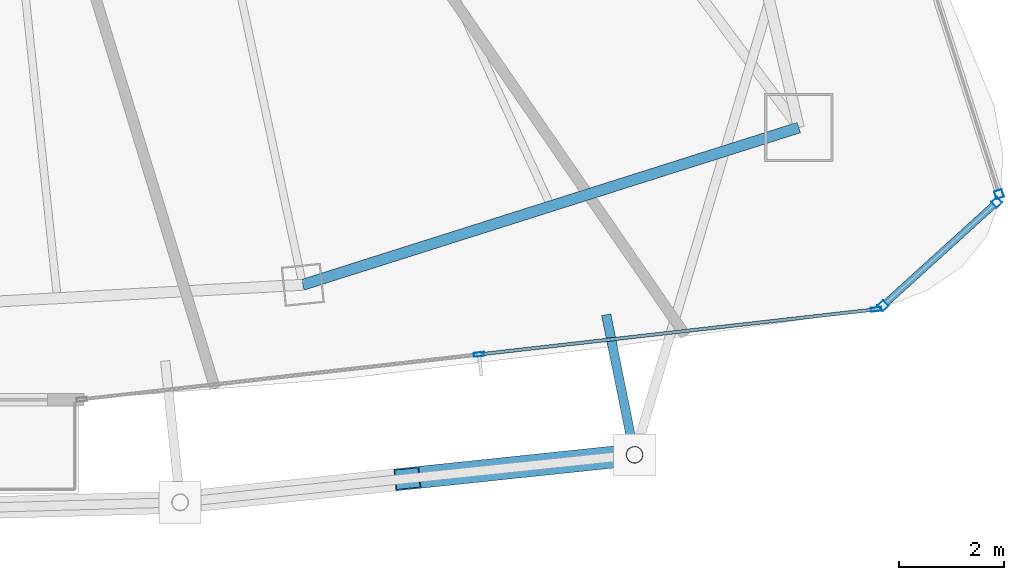
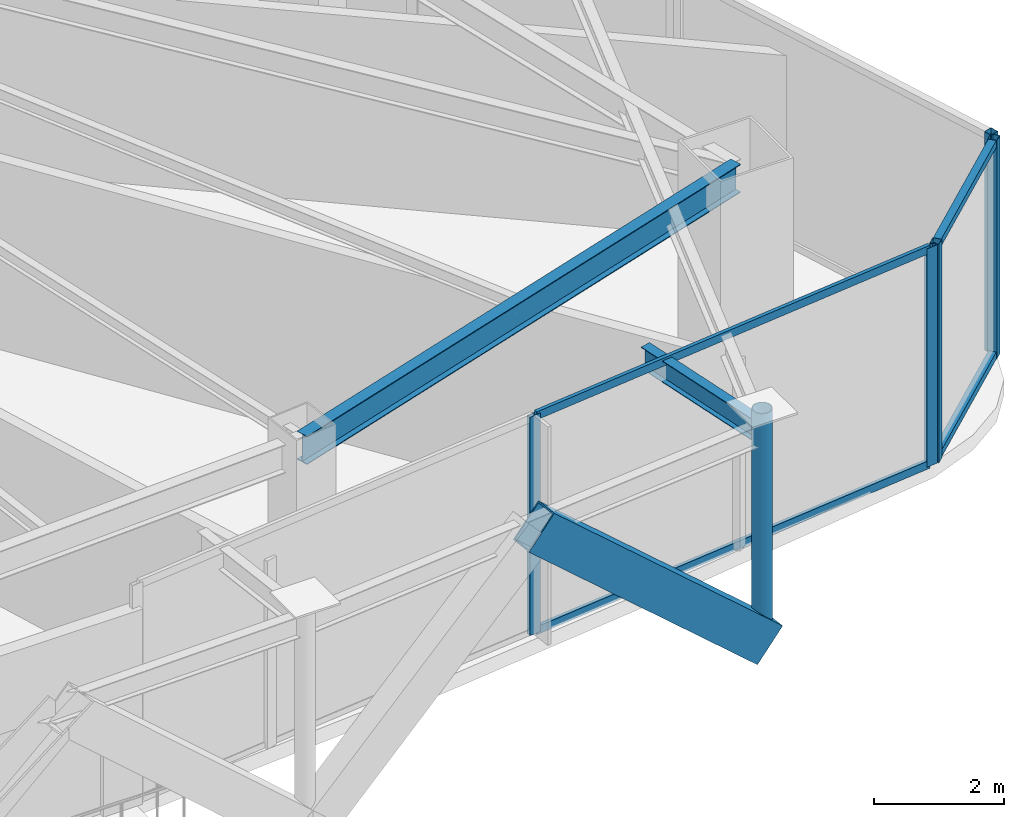
# One storey, part 11 of 25: 11 members, 2 beams, 3 elements without a shape of their own.
"""IFC4 building model written with IfcOpenShell, lengths in metres."""

from ifc_helpers import new_model, si_unit, direction, frame, origin, origin_2d, place, context, subcontext, project, spatial, hollow_rectangle, hollow_circle, i_section, extrude, material, layer, layer_set, material_profile, profile_set, type_object, element, aggregate, save


model = new_model("IFC4")

# Units and contexts
model_context = context("Model", 3, precision=1e-05, world=origin(), true_north=direction((0.0, 1.0)))
body_context = subcontext(model_context, "Body", "Model", "MODEL_VIEW")
ifc_project = project(units=[si_unit("LENGTHUNIT", "METRE"), si_unit("AREAUNIT", "SQUARE_METRE"), si_unit("VOLUMEUNIT", "CUBIC_METRE"), si_unit("PLANEANGLEUNIT", "RADIAN"), si_unit("MASSUNIT", "GRAM", prefix="KILO")], contexts=[model_context])

# Site, building, storey
site_placement = place(None, origin())
site = spatial("IfcSite", under=ifc_project, at=site_placement, CompositionType="ELEMENT")
building_placement = place(site_placement, origin())
building = spatial("IfcBuilding", under=site, at=building_placement, Name="Orvanel Arch Residences", CompositionType="ELEMENT")
storey_placement = place(building_placement, frame((0.0, 0.0, 236.0)))
storey = spatial("IfcBuildingStorey", under=building, at=storey_placement, Name="L67", CompositionType="ELEMENT", Elevation=236.0)

# Member
ifc_material_1 = material(Name="Structural steel AS/NZS 3678 Grade 350", Category="steel")
ifc_material_profile_1 = material_profile(ifc_material_1, hollow_rectangle(XDim=0.419921875, YDim=0.719970703125, WallThickness=0.02490234375, at=origin_2d()), Name="RHS720x420x25")
ifc_profile_set_1 = profile_set([ifc_material_profile_1], Name="Structural steel AS/NZS 3678 Grade 350")
member_type_1 = type_object("IfcMemberType", Name="BR-720RHS-EXT", PredefinedType="BRACE", material=ifc_profile_set_1)
member_1_placement = place(storey_placement, frame((48.6708984375, 4.115966796875, 0.0), z_axis=(-0.740050221939, -0.077440805647, 0.668078281812), x_axis=(0.104074375486, -0.994569517111, 0.0)))
element("IfcMember", 1, at=member_1_placement, inside=storey, type_object=member_type_1, Name="L67 Exterior Sky-Garden V-Frame Chevron F2B3.2", PredefinedType="BRACE", context=body_context, shape_type="SweptSolid", body=[
    extrude(hollow_rectangle(XDim=0.419921875, YDim=0.719970703125, WallThickness=0.02490234375, at=origin_2d()), origin(), (0.0, 0.0, 1.0), 5.84814453125),
])

# Curtain wall, members
ifc_material_2 = material(Name="Bronze-anodised aluminium AA6063-T6", Category="aluminium")
ifc_layer_1 = layer(ifc_material_2, 0.18994140625)
ifc_layer_set_1 = layer_set([ifc_layer_1], Name="Bronze-anodised aluminium AA6063-T6")
curtain_wall_type_1 = type_object("IfcCurtainWallType", Name="CW5-CRN-SYS", PredefinedType="NOTDEFINED", material=ifc_layer_set_1)
curtain_wall_1_placement = place(storey_placement, origin())
curtain_wall_1 = element("IfcCurtainWall", 2, at=curtain_wall_1_placement, inside=storey, type_object=curtain_wall_type_1, Name="L67 CW5-CRN-SYS Unitised Curtain Wall", PredefinedType="NOTDEFINED")
ifc_material_profile_2 = material_profile(ifc_material_2, hollow_rectangle(XDim=0.14990234375, YDim=0.14990234375, WallThickness=0.0048828125, at=origin_2d()), Name="ALU150x150x5")
ifc_profile_set_2 = profile_set([ifc_material_profile_2], Name="Bronze-anodised aluminium AA6063-T6")
member_type_2 = type_object("IfcMemberType", Name="MUL-150x150", PredefinedType="MULLION", material=ifc_profile_set_2)
member_2_placement = place(storey_placement, frame((53.403564453125, 6.95751953125, 0.0), z_axis=(0.0, 0.0, 1.0), x_axis=(-0.672382005775, 0.740204322001, 0.0)))
member_2 = element("IfcMember", 3, at=member_2_placement, type_object=member_type_2, Name="CW-S5 mullion 1", PredefinedType="MULLION", context=body_context, shape_type="SweptSolid", body=[
    extrude(hollow_rectangle(XDim=0.14990234375, YDim=0.14990234375, WallThickness=0.0048828125, at=origin_2d()), origin(), (0.0, 0.0, 1.0), 4.110107421875),
])
member_3_placement = place(storey_placement, frame((55.573486328125, 8.928466796875, 0.0), z_axis=(0.0, 0.0, 1.0), x_axis=(-0.672382005775, 0.740204322001, 0.0)))
member_3 = element("IfcMember", 4, at=member_3_placement, type_object=member_type_2, Name="CW-S5 mullion 2", PredefinedType="MULLION", context=body_context, shape_type="SweptSolid", body=[
    extrude(hollow_rectangle(XDim=0.14990234375, YDim=0.14990234375, WallThickness=0.0048828125, at=origin_2d()), origin(), (0.0, 0.0, 1.0), 4.110107421875),
])

# Curtain wall, member
curtain_wall_2_placement = place(storey_placement, origin())
curtain_wall_2 = element("IfcCurtainWall", 5, at=curtain_wall_2_placement, inside=storey, type_object=curtain_wall_type_1, Name="L67 CW5-CRN-SYS Unitised Curtain Wall", PredefinedType="NOTDEFINED")
member_4_placement = place(storey_placement, frame((55.615234375, 9.08251953125, 0.0), z_axis=(0.0, 0.0, 1.0), x_axis=(-0.952460933687, -0.304660745422, 0.0)))
member_4 = element("IfcMember", 6, at=member_4_placement, type_object=member_type_2, Name="CW-S5 mullion 1", PredefinedType="MULLION", context=body_context, shape_type="SweptSolid", body=[
    extrude(hollow_rectangle(XDim=0.14990234375, YDim=0.14990234375, WallThickness=0.0048828125, at=origin_2d()), origin(), (0.0, 0.0, 1.0), 4.110107421875),
])
aggregate(curtain_wall_2, [member_4])

# Curtain wall, members
ifc_layer_2 = layer(ifc_material_2, 0.195068359375)
ifc_layer_set_2 = layer_set([ifc_layer_2], Name="Bronze-anodised aluminium AA6063-T6")
curtain_wall_type_2 = type_object("IfcCurtainWallType", Name="CW6-COM-SYS", PredefinedType="NOTDEFINED", material=ifc_layer_set_2)
curtain_wall_3_placement = place(storey_placement, origin())
curtain_wall_3 = element("IfcCurtainWall", 7, at=curtain_wall_3_placement, inside=storey, type_object=curtain_wall_type_2, Name="L67 CW6-COM-SYS Unitised Curtain Wall", PredefinedType="NOTDEFINED")
ifc_material_profile_3 = material_profile(ifc_material_2, hollow_rectangle(XDim=0.074951171875, YDim=0.199951171875, WallThickness=0.0048828125, at=origin_2d()), Name="ALU200x75x5")
ifc_profile_set_3 = profile_set([ifc_material_profile_3], Name="Bronze-anodised aluminium AA6063-T6")
member_type_3 = type_object("IfcMemberType", Name="MUL-200x75", PredefinedType="MULLION", material=ifc_profile_set_3)
member_5_placement = place(storey_placement, frame((45.7080078125, 6.029052734375, 0.0), z_axis=(0.0, 0.0, 1.0), x_axis=(-0.112754314463, 0.993622898574, 0.0)))
member_5 = element("IfcMember", 8, at=member_5_placement, type_object=member_type_3, Name="CW-S6 mullion 2", PredefinedType="MULLION", context=body_context, shape_type="SweptSolid", body=[
    extrude(hollow_rectangle(XDim=0.074951171875, YDim=0.199951171875, WallThickness=0.0048828125, at=origin_2d()), origin(), (0.0, 0.0, 1.0), 4.110107421875),
])
member_6_placement = place(storey_placement, frame((53.275634765625, 6.8876953125, 0.0), z_axis=(0.0, 0.0, 1.0), x_axis=(-0.112754314463, 0.993622898574, 0.0)))
member_6 = element("IfcMember", 9, at=member_6_placement, type_object=member_type_3, Name="CW-S6 mullion 3", PredefinedType="MULLION", context=body_context, shape_type="SweptSolid", body=[
    extrude(hollow_rectangle(XDim=0.074951171875, YDim=0.199951171875, WallThickness=0.0048828125, at=origin_2d()), origin(), (0.0, 0.0, 1.0), 4.110107421875),
])

# Beams
ifc_material_3 = material(Name="Structural steel AS/NZS 3679.1 Grade 300 (300 MPa)", Category="steel")
ifc_material_profile_4 = material_profile(ifc_material_3, i_section(OverallWidth=0.177978515625, OverallDepth=0.406005859375, WebThickness=0.0078125, FlangeThickness=0.0126953125, at=origin_2d()), Name="410UB59.7")
ifc_profile_set_4 = profile_set([ifc_material_profile_4], Name="Structural steel AS/NZS 3679.1 Grade 300 (300 MPa)")
beam_type_1 = type_object("IfcBeamType", Name="OB-410UB-EXT", PredefinedType="SPANDREL", material=ifc_profile_set_4)
beam_1_placement = place(storey_placement, frame((48.131103515625, 6.782958984375, 3.906982421875), z_axis=(0.198375924993, -0.980126008421, 0.0), x_axis=(0.980126008421, 0.198375924993, 0.0)))
element("IfcBeam", 10, at=beam_1_placement, inside=storey, type_object=beam_type_1, Name="L67 Outer Frame Radial Tie Beam 08", PredefinedType="SPANDREL", context=body_context, shape_type="SweptSolid", body=[
    extrude(i_section(OverallWidth=0.177978515625, OverallDepth=0.406005859375, WebThickness=0.0078125, FlangeThickness=0.0126953125, at=origin_2d()), origin(), (0.0, 0.0, 1.0), 2.72119140625),
])
ifc_material_profile_5 = material_profile(ifc_material_3, i_section(OverallWidth=0.208984375, OverallDepth=0.532958984375, WebThickness=0.01025390625, FlangeThickness=0.015625, at=origin_2d()), Name="530UB92.4")
ifc_profile_set_5 = profile_set([ifc_material_profile_5], Name="Structural steel AS/NZS 3679.1 Grade 300 (300 MPa)")
beam_type_2 = type_object("IfcBeamType", Name="SP-530UB", PredefinedType="SPANDREL", material=ifc_profile_set_5)
beam_2_placement = place(storey_placement, frame((42.35107421875, 7.35498046875, 3.843994140625), z_axis=(0.953237386592, 0.302222574941, 0.0), x_axis=(-0.302222574941, 0.953237386592, 0.0)))
element("IfcBeam", 11, at=beam_2_placement, inside=storey, type_object=beam_type_2, Name="L67 Perimeter Spandrel Beam 05", PredefinedType="SPANDREL", context=body_context, shape_type="SweptSolid", body=[
    extrude(i_section(OverallWidth=0.208984375, OverallDepth=0.532958984375, WebThickness=0.01025390625, FlangeThickness=0.015625, at=origin_2d()), origin(), (0.0, 0.0, 1.0), 9.91357421875),
])

# Member
ifc_material_4 = material(Name="Structural steel AS/NZS 1163 C350L0 (Grade 350)", Category="steel")
ifc_material_profile_6 = material_profile(ifc_material_4, hollow_circle(Radius=0.162109375, WallThickness=0.0126953125, at=origin_2d()), Name="CHS324x12.7")
ifc_profile_set_6 = profile_set([ifc_material_profile_6], Name="Structural steel AS/NZS 1163 C350L0 (Grade 350)")
member_type_4 = type_object("IfcMemberType", Name="ST-324CHS-EXT", PredefinedType="STRUT", material=ifc_profile_set_6)
member_7_placement = place(storey_placement, frame((48.6708984375, 4.115966796875, 0.0), z_axis=(0.0, 0.0, 1.0), x_axis=(1.0, 0.0, 0.0)))
element("IfcMember", 12, at=member_7_placement, inside=storey, type_object=member_type_4, Name="L67 Outer Perimeter Frame Post 08", PredefinedType="STRUT", context=body_context, shape_type="SweptSolid", body=[
    extrude(hollow_circle(Radius=0.162109375, WallThickness=0.0126953125, at=origin_2d()), origin(), (0.0, 0.0, 1.0), 4.35009765625),
])

ifc_material_profile_7 = material_profile(ifc_material_2, hollow_rectangle(XDim=0.1298828125, YDim=0.1298828125, WallThickness=0.00439453125, at=origin_2d()), Name="ALU130x130x4.5")
ifc_profile_set_7 = profile_set([ifc_material_profile_7], Name="Bronze-anodised aluminium AA6063-T6")
member_type_5 = type_object("IfcMemberType", Name="TRN-130x130", PredefinedType="USERDEFINED", material=ifc_profile_set_7)
member_8_placement = place(storey_placement, frame((53.458984375, 7.0078125, 0.06494140625), z_axis=(0.740214030912, 0.672371317384, 0.0), x_axis=(-0.672371317384, 0.740214030912, 0.0)))
member_8 = element("IfcMember", 13, at=member_8_placement, type_object=member_type_5, Name="CW-S5 transom 1.1", ObjectType="TRANSOM", PredefinedType="USERDEFINED", context=body_context, shape_type="SweptSolid", body=[
    extrude(hollow_rectangle(XDim=0.1298828125, YDim=0.1298828125, WallThickness=0.00439453125, at=origin_2d()), origin(), (0.0, 0.0, 1.0), 2.78173828125),
])

member_9_placement = place(storey_placement, frame((53.458984375, 7.0078125, 4.044921875), z_axis=(0.740214030912, 0.672371317384, 0.0), x_axis=(-0.672371317384, 0.740214030912, 0.0)))
member_9 = element("IfcMember", 14, at=member_9_placement, type_object=member_type_5, Name="CW-S5 transom 1.2", ObjectType="TRANSOM", PredefinedType="USERDEFINED", context=body_context, shape_type="SweptSolid", body=[
    extrude(hollow_rectangle(XDim=0.1298828125, YDim=0.1298828125, WallThickness=0.00439453125, at=origin_2d()), origin(), (0.0, 0.0, 1.0), 2.78173828125),
])

aggregate(curtain_wall_1, [member_2, member_3, member_8, member_9])

ifc_material_profile_8 = material_profile(ifc_material_2, hollow_rectangle(XDim=0.06494140625, YDim=0.14990234375, WallThickness=0.00390625, at=origin_2d()), Name="ALU150x65x4")
ifc_profile_set_8 = profile_set([ifc_material_profile_8], Name="Bronze-anodised aluminium AA6063-T6")
member_type_6 = type_object("IfcMemberType", Name="TRN-150x65", PredefinedType="USERDEFINED", material=ifc_profile_set_8)
member_10_placement = place(storey_placement, frame((45.745361328125, 6.033203125, 0.032470703125), z_axis=(0.993622412576, 0.112758597126, 0.0), x_axis=(-0.112758597126, 0.993622412576, 0.0)))
member_10 = element("IfcMember", 15, at=member_10_placement, type_object=member_type_6, Name="CW-S6 transom 2.1", ObjectType="TRANSOM", PredefinedType="USERDEFINED", context=body_context, shape_type="SweptSolid", body=[
    extrude(hollow_rectangle(XDim=0.06494140625, YDim=0.14990234375, WallThickness=0.00390625, at=origin_2d()), origin(), (0.0, 0.0, 1.0), 7.541259765625),
])

member_11_placement = place(storey_placement, frame((45.745361328125, 6.033203125, 4.077392578125), z_axis=(0.993622412576, 0.112758597126, 0.0), x_axis=(-0.112758597126, 0.993622412576, 0.0)))
member_11 = element("IfcMember", 16, at=member_11_placement, type_object=member_type_6, Name="CW-S6 transom 2.2", ObjectType="TRANSOM", PredefinedType="USERDEFINED", context=body_context, shape_type="SweptSolid", body=[
    extrude(hollow_rectangle(XDim=0.06494140625, YDim=0.14990234375, WallThickness=0.00390625, at=origin_2d()), origin(), (0.0, 0.0, 1.0), 7.541259765625),
])

aggregate(curtain_wall_3, [member_5, member_6, member_10, member_11])

save(model, "model.ifc")
